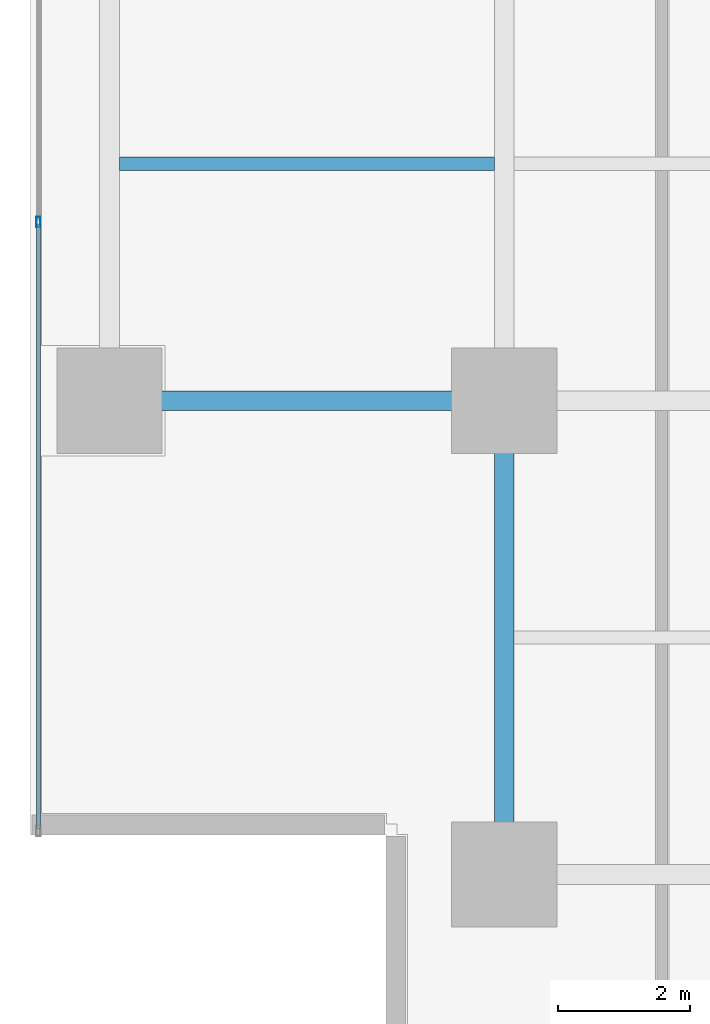
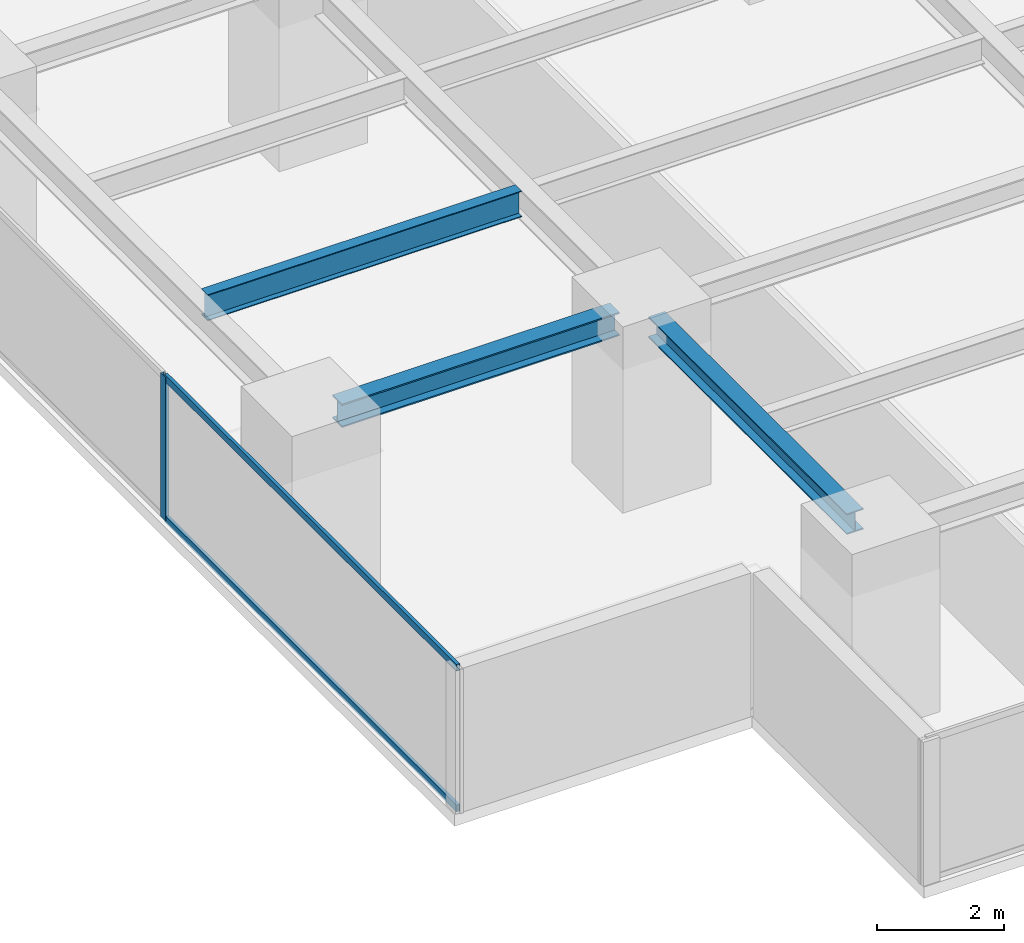
# One storey, part 3 of 27: 3 beams, 3 members, 1 element without a shape of its own.
"""IFC4 building model written with IfcOpenShell, lengths in metres."""

from ifc_helpers import new_model, si_unit, direction, frame, origin, origin_2d, place, context, subcontext, project, spatial, hollow_rectangle, i_section, extrude, source, transform, mapped, material, layer, layer_set, material_profile, profile_set, type_object, element, aggregate, save


model = new_model("IFC4")

# Units and contexts
model_context = context("Model", 3, precision=1e-05, world=origin(), true_north=direction((0.0, 1.0)))
body_context = subcontext(model_context, "Body", "Model", "MODEL_VIEW")
ifc_project = project(units=[si_unit("LENGTHUNIT", "METRE"), si_unit("AREAUNIT", "SQUARE_METRE"), si_unit("VOLUMEUNIT", "CUBIC_METRE"), si_unit("PLANEANGLEUNIT", "RADIAN"), si_unit("MASSUNIT", "GRAM", prefix="KILO")], contexts=[model_context])

# Site, building, storey
site_placement = place(None, origin())
site = spatial("IfcSite", under=ifc_project, at=site_placement, CompositionType="ELEMENT")
building_placement = place(site_placement, origin())
building = spatial("IfcBuilding", under=site, at=building_placement, Name="Sumidabori Civic Tower", CompositionType="ELEMENT")
storey_placement = place(building_placement, frame((0.0, 0.0, 156.800048828125)))
storey = spatial("IfcBuildingStorey", under=building, at=storey_placement, Name="L40", CompositionType="ELEMENT", Elevation=156.800048828125)

# Beams
ifc_material_1 = material(Name="Steel SN490", Category="steel")
ifc_material_profile_1 = material_profile(ifc_material_1, i_section(OverallWidth=0.300048828125, OverallDepth=0.39990234375, WebThickness=0.013427734375, FlangeThickness=0.02392578125, at=origin_2d()), Name="HE 400 B")
ifc_profile_set_1 = profile_set([ifc_material_profile_1], Name="Steel SN490")
beam_type_1 = type_object("IfcBeamType", Name="BM-GIRD-400", PredefinedType="BEAM", material=ifc_profile_set_1)
shared_shape_1 = source(origin(), body_context, "Body", "SweptSolid", [
    extrude(i_section(OverallWidth=0.300048828125, OverallDepth=0.39990234375, WebThickness=0.013427734375, FlangeThickness=0.02392578125, at=origin_2d()), origin(), (0.0, 0.0, 1.0), 6.239990234375),
])
beam_1_placement = place(storey_placement, frame((-16.800048828125, -17.52001953125, 3.179931640625), z_axis=(0.0, 1.0, 0.0), x_axis=(-1.0, 0.0, 0.0)))
element("IfcBeam", 1, at=beam_1_placement, inside=storey, type_object=beam_type_1, Name="Primary Girder L40 GY-22", PredefinedType="BEAM", context=body_context, shape_type="MappedRepresentation", body=[
    mapped(shared_shape_1, transform((0.0, 0.0, 0.0), x_axis=(1.0, 0.0, 0.0), y_axis=(0.0, 1.0, 0.0), z_axis=(0.0, 0.0, 1.0), scale=1.0)),
])
ifc_material_profile_2 = material_profile(ifc_material_1, i_section(OverallWidth=0.199951171875, OverallDepth=0.5, WebThickness=0.01025390625, FlangeThickness=0.01611328125, at=origin_2d()), Name="IPE 500")
ifc_profile_set_2 = profile_set([ifc_material_profile_2], Name="Steel SN490")
beam_type_2 = type_object("IfcBeamType", Name="BM-JST-500", PredefinedType="JOIST", material=ifc_profile_set_2)
shared_shape_2 = source(origin(), body_context, "Body", "SweptSolid", [
    extrude(i_section(OverallWidth=0.199951171875, OverallDepth=0.5, WebThickness=0.01025390625, FlangeThickness=0.01611328125, at=origin_2d()), origin(), (0.0, 0.0, 1.0), 5.699951171875),
])
beam_2_placement = place(storey_placement, frame((-22.64990234375, -7.199951171875, 3.1298828125), z_axis=(1.0, 0.0, 0.0), x_axis=(0.0, 1.0, 0.0)))
element("IfcBeam", 2, at=beam_2_placement, inside=storey, type_object=beam_type_2, Name="Outer Bay Floor Joist L40 JSTO-39", PredefinedType="JOIST", context=body_context, shape_type="MappedRepresentation", body=[
    mapped(shared_shape_2, transform((0.0, 0.0, 0.0), x_axis=(1.0, 0.0, 0.0), y_axis=(0.0, 1.0, 0.0), z_axis=(0.0, 0.0, 1.0), scale=1.0)),
])
ifc_material_profile_3 = material_profile(ifc_material_1, i_section(OverallWidth=0.300048828125, OverallDepth=0.449951171875, WebThickness=0.013916015625, FlangeThickness=0.02587890625, at=origin_2d()), Name="HE 450 B")
ifc_profile_set_3 = profile_set([ifc_material_profile_3], Name="Steel SN490")
beam_type_3 = type_object("IfcBeamType", Name="BM-GIRD-450", PredefinedType="BEAM", material=ifc_profile_set_3)
shared_shape_3 = source(origin(), body_context, "Body", "SweptSolid", [
    extrude(i_section(OverallWidth=0.300048828125, OverallDepth=0.449951171875, WebThickness=0.013916015625, FlangeThickness=0.02587890625, at=origin_2d()), origin(), (0.0, 0.0, 1.0), 5.0400390625),
])
beam_3_placement = place(storey_placement, frame((-22.320068359375, -10.800048828125, 3.155029296875), z_axis=(1.0, 0.0, 0.0), x_axis=(0.0, 1.0, 0.0)))
element("IfcBeam", 3, at=beam_3_placement, inside=storey, type_object=beam_type_3, Name="Primary Girder L40 GX-05", PredefinedType="BEAM", context=body_context, shape_type="MappedRepresentation", body=[
    mapped(shared_shape_3, transform((0.0, 0.0, 0.0), x_axis=(1.0, 0.0, 0.0), y_axis=(0.0, 1.0, 0.0), z_axis=(0.0, 0.0, 1.0), scale=1.0)),
])

# Curtain wall, members
ifc_material_2 = material(Name="Anodised Bronze Aluminium AW-6063-T6", Category="aluminium")
ifc_layer = layer(ifc_material_2, 0.179931640625, Name="Anodised Bronze Aluminium AW-6063-T6")
ifc_layer_set = layer_set([ifc_layer], Name="Anodised Bronze Aluminium AW-6063-T6")
curtain_wall_type = type_object("IfcCurtainWallType", Name="CW-SYS-3", PredefinedType="NOTDEFINED", material=ifc_layer_set)
curtain_wall_placement = place(storey_placement, origin())
curtain_wall = element("IfcCurtainWall", 4, at=curtain_wall_placement, inside=storey, type_object=curtain_wall_type, Name="Curtain Wall CW:L40:R10", PredefinedType="NOTDEFINED")
ifc_material_profile_4 = material_profile(ifc_material_2, hollow_rectangle(XDim=0.06494140625, YDim=0.159912109375, WallThickness=0.0048828125, at=origin_2d()), Name="ALU MULLION 160x65")
ifc_profile_set_4 = profile_set([ifc_material_profile_4], Name="Anodised Bronze Aluminium AW-6063-T6")
member_type_1 = type_object("IfcMemberType", Name="CW-MUL-160", PredefinedType="MULLION", material=ifc_profile_set_4)
shared_shape_4 = source(origin(), body_context, "Body", "SweptSolid", [
    extrude(hollow_rectangle(XDim=0.06494140625, YDim=0.159912109375, WallThickness=0.0048828125, at=origin_2d()), origin(), (0.0, 0.0, 1.0), 2.760009765625),
])
member_1_placement = place(storey_placement, frame((-23.8798828125, -8.0849609375, 0.0), z_axis=(0.0, 0.0, 1.0), x_axis=(1.0, 0.0, 0.0)))
member_1 = element("IfcMember", 5, at=member_1_placement, type_object=member_type_1, Name="CW-3 mullion 4", PredefinedType="MULLION", context=body_context, shape_type="MappedRepresentation", body=[
    mapped(shared_shape_4, transform((0.0, 0.0, 0.0), x_axis=(1.0, 0.0, 0.0), y_axis=(0.0, 1.0, 0.0), z_axis=(0.0, 0.0, 1.0), scale=1.0)),
])
ifc_material_profile_5 = material_profile(ifc_material_2, hollow_rectangle(XDim=0.06005859375, YDim=0.1298828125, WallThickness=0.0048828125, at=origin_2d()), Name="ALU TRANSOM 130x60")
ifc_profile_set_5 = profile_set([ifc_material_profile_5], Name="Anodised Bronze Aluminium AW-6063-T6")
member_type_2 = type_object("IfcMemberType", Name="CW-TRN-130", PredefinedType="USERDEFINED", material=ifc_profile_set_5)
shared_shape_5 = source(origin(), body_context, "Body", "SweptSolid", [
    extrude(hollow_rectangle(XDim=0.06005859375, YDim=0.1298828125, WallThickness=0.0048828125, at=origin_2d()), origin(), (0.0, 0.0, 1.0), 9.1875),
])
member_2_placement = place(storey_placement, frame((-23.8798828125, -8.117431640625, 0.030029296875), z_axis=(0.0, -1.0, 0.0), x_axis=(1.0, 0.0, 0.0)))
member_2 = element("IfcMember", 6, at=member_2_placement, type_object=member_type_2, Name="CW-3 transom 4.1", ObjectType="TRANSOM", PredefinedType="USERDEFINED", context=body_context, shape_type="MappedRepresentation", body=[
    mapped(shared_shape_5, transform((0.0, 0.0, 0.0), x_axis=(1.0, 0.0, 0.0), y_axis=(0.0, 1.0, 0.0), z_axis=(0.0, 0.0, 1.0), scale=1.0)),
])
member_3_placement = place(storey_placement, frame((-23.8798828125, -8.117431640625, 2.72998046875), z_axis=(0.0, -1.0, 0.0), x_axis=(1.0, 0.0, 0.0)))
member_3 = element("IfcMember", 7, at=member_3_placement, type_object=member_type_2, Name="CW-3 transom 4.2", ObjectType="TRANSOM", PredefinedType="USERDEFINED", context=body_context, shape_type="MappedRepresentation", body=[
    mapped(shared_shape_5, transform((0.0, 0.0, 0.0), x_axis=(1.0, 0.0, 0.0), y_axis=(0.0, 1.0, 0.0), z_axis=(0.0, 0.0, 1.0), scale=1.0)),
])
aggregate(curtain_wall, [member_1, member_2, member_3])

save(model, "model.ifc")
